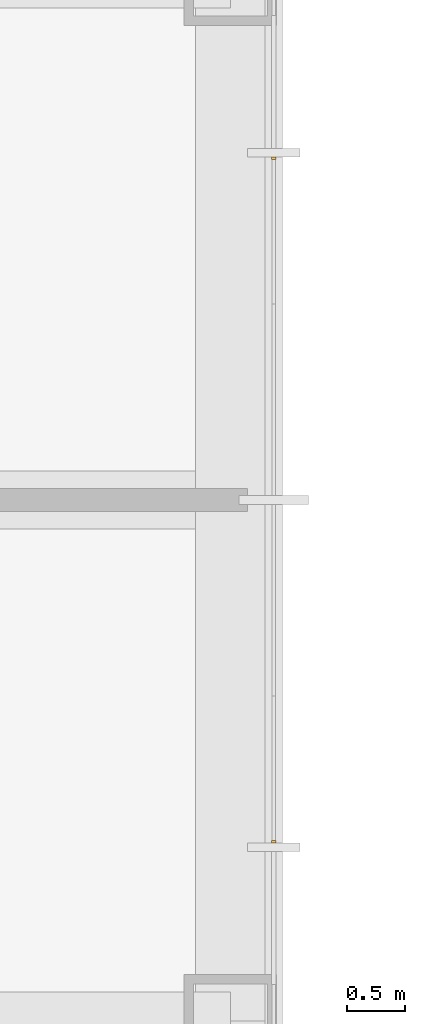
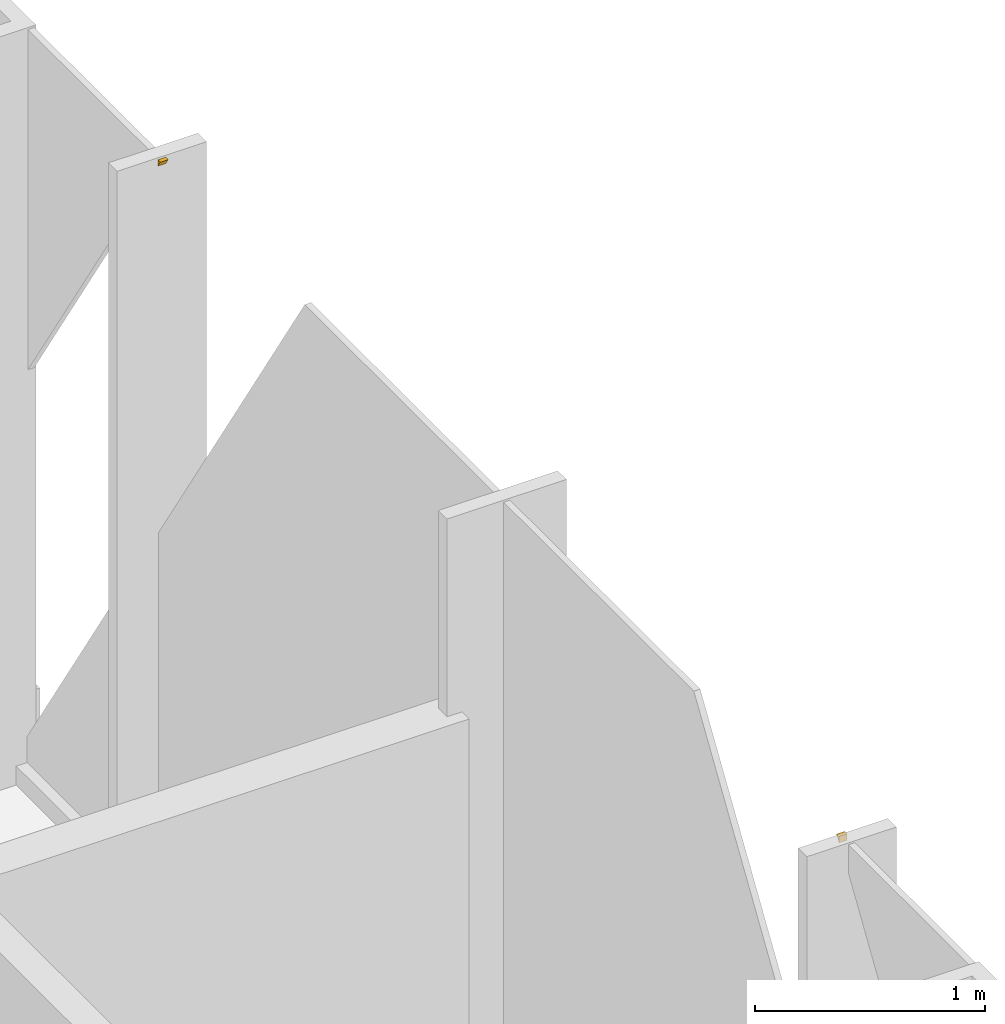
# One storey, part 16 of 17: 2 coverings.
"""IFC4 building model written with IfcOpenShell, lengths in metres."""

from ifc_helpers import new_model, si_unit, direction, frame, origin, place, context, subcontext, project, spatial, polyline, outline, extrude, material, layer, layer_set, type_object, element, save


model = new_model("IFC4")

# Units and contexts
model_context = context("Model", 3, precision=1e-05, world=origin(), true_north=direction((0.0, 1.0)))
body_context = subcontext(model_context, "Body", "Model", "MODEL_VIEW")
ifc_project = project(units=[si_unit("LENGTHUNIT", "METRE"), si_unit("AREAUNIT", "SQUARE_METRE"), si_unit("VOLUMEUNIT", "CUBIC_METRE"), si_unit("PLANEANGLEUNIT", "RADIAN"), si_unit("MASSUNIT", "GRAM", prefix="KILO")], contexts=[model_context])

# Site, building, storey
site_placement = place(None, origin())
site = spatial("IfcSite", under=ifc_project, at=site_placement, CompositionType="ELEMENT")
building_placement = place(site_placement, origin())
building = spatial("IfcBuilding", under=site, at=building_placement, Name="Malebo Sky Hospital", CompositionType="ELEMENT")
storey_placement = place(building_placement, frame((0.0, 0.0, 237.0)))
storey = spatial("IfcBuildingStorey", under=building, at=storey_placement, Name="L57", CompositionType="ELEMENT", Elevation=237.0)

# Coverings
ifc_material = material(Name="Anodised aluminium, natural silver insulated infill panel", Category="aluminium")
ifc_layer = layer(ifc_material, 0.0400390625)
ifc_layer_set = layer_set([ifc_layer], Name="BRACE INFILL PANEL 40")
covering_type = type_object("IfcCoveringType", Name="BRACE INFILL PANEL 40", PredefinedType="CLADDING", material=ifc_layer_set)
covering_1_placement = place(storey_placement, frame((82.574951171875, 64.95166015625, 3.956298828125), z_axis=(0.0, 0.0, 1.0), x_axis=(0.0, -1.0, 0.0)))
element("IfcCovering", 1, at=covering_1_placement, inside=storey, type_object=covering_type, Name="Brace infill panel 7.1", PredefinedType="CLADDING", context=body_context, shape_type="SweptSolid", body=[
    extrude(outline(polyline([(-0.0107421875, 0.0), (0.0107421875, 0.03369140625), (-0.0107421875, 0.03369140625), (-0.0107421875, 0.0)])), frame((0.0, 0.02001953125, 0.0), z_axis=(0.0, -1.0, 0.0), x_axis=(1.0, 0.0, 0.0)), (0.0, 0.0, 1.0), 0.0400390625),
])
covering_2_placement = place(storey_placement, frame((82.574951171875, 59.04833984375, 3.956298828125), z_axis=(0.0, 0.0, 1.0), x_axis=(0.0, -1.0, 0.0)))
element("IfcCovering", 2, at=covering_2_placement, inside=storey, type_object=covering_type, Name="Brace infill panel 8.1", PredefinedType="CLADDING", context=body_context, shape_type="SweptSolid", body=[
    extrude(outline(polyline([(0.0107421875, 0.0), (0.0107421875, 0.03369140625), (-0.0107421875, 0.03369140625), (0.0107421875, 0.0)])), frame((0.0, 0.02001953125, 0.0), z_axis=(0.0, -1.0, 0.0), x_axis=(1.0, 0.0, 0.0)), (0.0, 0.0, 1.0), 0.0400390625),
])

save(model, "model.ifc")
